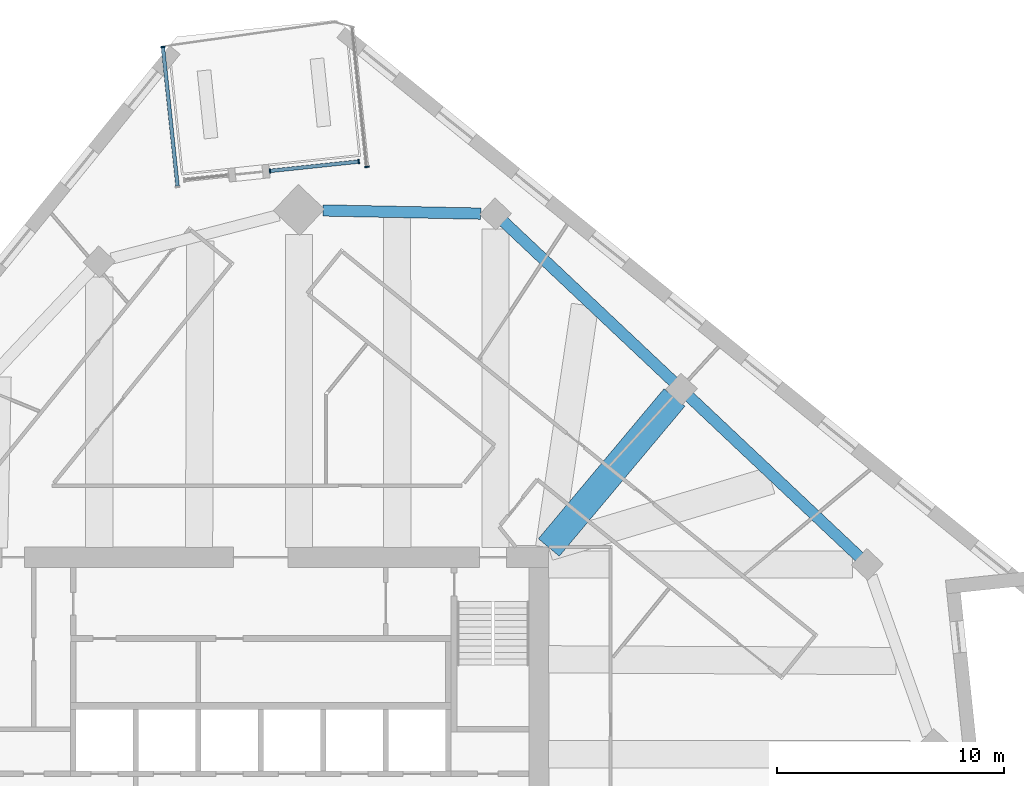
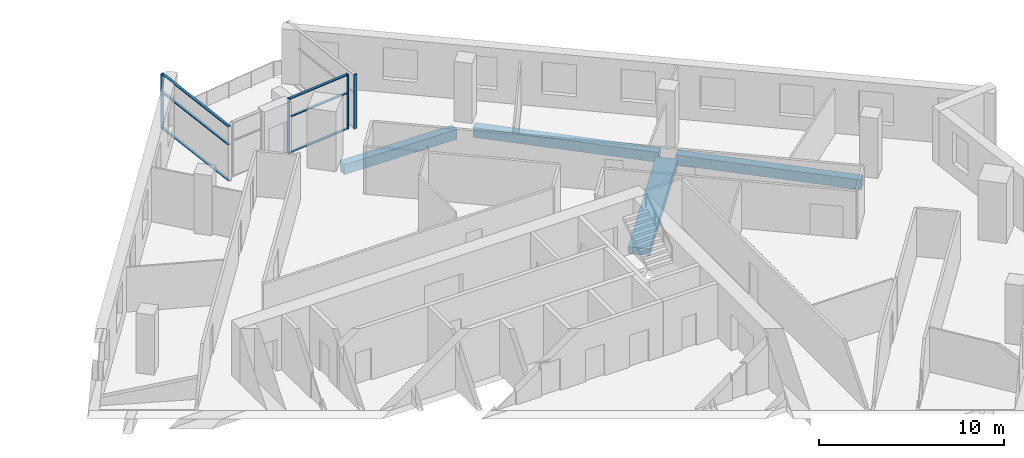
# One storey, part 4 of 14: 10 members, 4 beams, 3 elements without a shape of their own.
"""IFC4 building model written with IfcOpenShell, lengths in metres."""

from ifc_helpers import new_model, si_unit, direction, frame, origin, origin_2d, place, context, subcontext, project, spatial, rectangle, extrude, material, material_profile, profile_set, type_object, element, aggregate, save


model = new_model("IFC4")

# Units and contexts
model_context = context("Model", 3, precision=1e-05, world=origin(), true_north=direction((0.0, 1.0)))
body_context = subcontext(model_context, "Body", "Model", "MODEL_VIEW")
ifc_project = project(units=[si_unit("LENGTHUNIT", "METRE"), si_unit("AREAUNIT", "SQUARE_METRE"), si_unit("VOLUMEUNIT", "CUBIC_METRE"), si_unit("PLANEANGLEUNIT", "RADIAN"), si_unit("MASSUNIT", "GRAM", prefix="KILO")], contexts=[model_context])

# Site, building, storey
site_placement = place(None, origin())
site = spatial("IfcSite", under=ifc_project, at=site_placement, CompositionType="ELEMENT")
building_placement = place(site_placement, origin())
building = spatial("IfcBuilding", under=site, at=building_placement, Name="Dilmun Exchange Tower", CompositionType="ELEMENT")
storey_placement = place(building_placement, frame((0.0, 0.0, 233.300048828125)))
storey = spatial("IfcBuildingStorey", under=building, at=storey_placement, Name="L55", CompositionType="ELEMENT", Elevation=233.300048828125)

# Curtain wall, member
ifc_material_1 = material(Name="Anodised aluminium and clear glass", Category="aluminium")
curtain_wall_type = type_object("IfcCurtainWallType", Name="Garden corner glazing", PredefinedType="NOTDEFINED", material=ifc_material_1)
curtain_wall_1_placement = place(storey_placement, origin())
curtain_wall_1 = element("IfcCurtainWall", 1, at=curtain_wall_1_placement, inside=storey, type_object=curtain_wall_type, Name="Garden corner glazing run GC1.1", PredefinedType="NOTDEFINED")
ifc_material_2 = material(Name="Anodised aluminium", Category="aluminium")
ifc_material_profile_1 = material_profile(ifc_material_2, rectangle(XDim=0.199951171875, YDim=0.06005859375, at=origin_2d()), Name="AL 60x200")
ifc_profile_set_1 = profile_set([ifc_material_profile_1], Name="Anodised aluminium")
member_type_1 = type_object("IfcMemberType", Name="Garden corner glazing mullion 60 x 200", PredefinedType="MULLION", material=ifc_profile_set_1)
member_1_placement = place(storey_placement, frame((4.673583984375, 29.43505859375, 0.0), z_axis=(0.0, 0.0, 1.0), x_axis=(0.994520705874, 0.104539779931, 0.0)))
member_1 = element("IfcMember", 2, at=member_1_placement, type_object=member_type_1, Name="GC1.1 mullion 2", PredefinedType="MULLION", context=body_context, shape_type="SweptSolid", body=[
    extrude(rectangle(XDim=0.199951171875, YDim=0.06005859375, at=origin_2d()), origin(), (0.0, 0.0, 1.0), 3.619873046875),
])
aggregate(curtain_wall_1, [member_1])

# Curtain wall, members
curtain_wall_2_placement = place(storey_placement, origin())
curtain_wall_2 = element("IfcCurtainWall", 3, at=curtain_wall_2_placement, inside=storey, type_object=curtain_wall_type, Name="Garden corner glazing run GC2.1", PredefinedType="NOTDEFINED")
member_2_placement = place(storey_placement, frame((4.31689453125, 29.669189453125, 0.0), z_axis=(0.0, 0.0, 1.0), x_axis=(0.104536020157, -0.994521101078, 0.0)))
member_2 = element("IfcMember", 4, at=member_2_placement, type_object=member_type_1, Name="GC2.1 mullion 1", PredefinedType="MULLION", context=body_context, shape_type="SweptSolid", body=[
    extrude(rectangle(XDim=0.199951171875, YDim=0.06005859375, at=origin_2d()), origin(), (0.0, 0.0, 1.0), 3.619873046875),
])
member_3_placement = place(storey_placement, frame((0.409423828125, 29.258544921875, 0.0), z_axis=(0.0, 0.0, 1.0), x_axis=(0.104536020157, -0.994521101078, 0.0)))
member_3 = element("IfcMember", 5, at=member_3_placement, type_object=member_type_1, Name="GC2.1 mullion 2", PredefinedType="MULLION", context=body_context, shape_type="SweptSolid", body=[
    extrude(rectangle(XDim=0.199951171875, YDim=0.06005859375, at=origin_2d()), origin(), (0.0, 0.0, 1.0), 3.619873046875),
])

# Curtain wall, member
curtain_wall_3_placement = place(storey_placement, origin())
curtain_wall_3 = element("IfcCurtainWall", 6, at=curtain_wall_3_placement, inside=storey, type_object=curtain_wall_type, Name="Garden corner glazing run GC3.1", PredefinedType="NOTDEFINED")
member_4_placement = place(storey_placement, frame((-4.3056640625, 34.7119140625, 0.0), z_axis=(0.0, 0.0, 1.0), x_axis=(-0.994520705874, -0.104539779931, 0.0)))
member_4 = element("IfcMember", 7, at=member_4_placement, type_object=member_type_1, Name="GC3.1 mullion 2", PredefinedType="MULLION", context=body_context, shape_type="SweptSolid", body=[
    extrude(rectangle(XDim=0.199951171875, YDim=0.06005859375, at=origin_2d()), origin(), (0.0, 0.0, 1.0), 3.619873046875),
])

# Member
ifc_material_profile_2 = material_profile(ifc_material_2, rectangle(XDim=0.159912109375, YDim=0.06005859375, at=origin_2d()), Name="AL 60x160")
ifc_profile_set_2 = profile_set([ifc_material_profile_2], Name="Anodised aluminium")
member_type_2 = type_object("IfcMemberType", Name="Garden corner glazing transom 60 x 160", PredefinedType="USERDEFINED", material=ifc_profile_set_2)
member_5_placement = place(storey_placement, frame((4.287109375, 29.666015625, 0.030029296875), z_axis=(-0.994518929052, -0.104556682028, 0.0), x_axis=(0.104556682028, -0.994518929052, 0.0)))
member_5 = element("IfcMember", 8, at=member_5_placement, type_object=member_type_2, Name="GC2.1 transom 1.1", ObjectType="TRANSOM", PredefinedType="USERDEFINED", context=body_context, shape_type="SweptSolid", body=[
    extrude(rectangle(XDim=0.159912109375, YDim=0.06005859375, at=origin_2d()), origin(), (0.0, 0.0, 1.0), 3.869140625),
])

member_6_placement = place(storey_placement, frame((4.287109375, 29.666015625, 2.39990234375), z_axis=(-0.994518929052, -0.104556682028, 0.0), x_axis=(0.104556682028, -0.994518929052, 0.0)))
member_6 = element("IfcMember", 9, at=member_6_placement, type_object=member_type_2, Name="GC2.1 transom 1.2", ObjectType="TRANSOM", PredefinedType="USERDEFINED", context=body_context, shape_type="SweptSolid", body=[
    extrude(rectangle(XDim=0.159912109375, YDim=0.06005859375, at=origin_2d()), origin(), (0.0, 0.0, 1.0), 3.869140625),
])

member_7_placement = place(storey_placement, frame((4.287109375, 29.666015625, 3.58984375), z_axis=(-0.994518929052, -0.104556682028, 0.0), x_axis=(0.104556682028, -0.994518929052, 0.0)))
member_7 = element("IfcMember", 10, at=member_7_placement, type_object=member_type_2, Name="GC2.1 transom 1.3", ObjectType="TRANSOM", PredefinedType="USERDEFINED", context=body_context, shape_type="SweptSolid", body=[
    extrude(rectangle(XDim=0.159912109375, YDim=0.06005859375, at=origin_2d()), origin(), (0.0, 0.0, 1.0), 3.869140625),
])

aggregate(curtain_wall_2, [member_2, member_3, member_5, member_6, member_7])

member_8_placement = place(storey_placement, frame((-3.661865234375, 28.589111328125, 0.030029296875), z_axis=(-0.104564471724, 0.994518110068, 0.0), x_axis=(-0.994518110068, -0.104564471724, 0.0)))
member_8 = element("IfcMember", 11, at=member_8_placement, type_object=member_type_2, Name="GC3.1 transom 1.1", ObjectType="TRANSOM", PredefinedType="USERDEFINED", context=body_context, shape_type="SweptSolid", body=[
    extrude(rectangle(XDim=0.159912109375, YDim=0.06005859375, at=origin_2d()), origin(), (0.0, 0.0, 1.0), 6.126708984375),
])

member_9_placement = place(storey_placement, frame((-3.661865234375, 28.589111328125, 2.39990234375), z_axis=(-0.104564471724, 0.994518110068, 0.0), x_axis=(-0.994518110068, -0.104564471724, 0.0)))
member_9 = element("IfcMember", 12, at=member_9_placement, type_object=member_type_2, Name="GC3.1 transom 1.2", ObjectType="TRANSOM", PredefinedType="USERDEFINED", context=body_context, shape_type="SweptSolid", body=[
    extrude(rectangle(XDim=0.159912109375, YDim=0.06005859375, at=origin_2d()), origin(), (0.0, 0.0, 1.0), 6.126708984375),
])

member_10_placement = place(storey_placement, frame((-3.661865234375, 28.589111328125, 3.58984375), z_axis=(-0.104564471724, 0.994518110068, 0.0), x_axis=(-0.994518110068, -0.104564471724, 0.0)))
member_10 = element("IfcMember", 13, at=member_10_placement, type_object=member_type_2, Name="GC3.1 transom 1.3", ObjectType="TRANSOM", PredefinedType="USERDEFINED", context=body_context, shape_type="SweptSolid", body=[
    extrude(rectangle(XDim=0.159912109375, YDim=0.06005859375, at=origin_2d()), origin(), (0.0, 0.0, 1.0), 6.126708984375),
])

aggregate(curtain_wall_3, [member_4, member_8, member_9, member_10])

# Beams
ifc_material_3 = material(Name="Concrete C40/50", Category="concrete")
ifc_material_profile_3 = material_profile(ifc_material_3, rectangle(XDim=1.199951171875, YDim=0.449951171875, at=origin_2d()), Name="1200 x 450")
ifc_profile_set_3 = profile_set([ifc_material_profile_3], Name="Concrete C40/50")
beam_type_1 = type_object("IfcBeamType", Name="RC band beam 1200 x 450 C40/50", PredefinedType="BEAM", material=ifc_profile_set_3)
beam_1_placement = place(storey_placement, frame((18.2158203125, 19.28369140625, -0.705078125), z_axis=(-0.642200063897, -0.766537068856, 0.0), x_axis=(0.766537068856, -0.642200063897, 0.0)))
element("IfcBeam", 14, at=beam_1_placement, inside=storey, type_object=beam_type_1, Name="Band beam 15", PredefinedType="BEAM", context=body_context, shape_type="SweptSolid", body=[
    extrude(rectangle(XDim=1.199951171875, YDim=0.449951171875, at=origin_2d()), origin(), (0.0, 0.0, 1.0), 8.615966796875),
])
ifc_material_profile_4 = material_profile(ifc_material_3, rectangle(XDim=0.5, YDim=0.64990234375, at=origin_2d()), Name="500 x 650")
ifc_profile_set_4 = profile_set([ifc_material_profile_4], Name="Concrete C40/50")
beam_type_2 = type_object("IfcBeamType", Name="RC ring beam 500 x 650 C40/50", PredefinedType="SPANDREL", material=ifc_profile_set_4)
beam_2_placement = place(storey_placement, frame((26.36181640625, 12.25537109375, -0.705078125), z_axis=(-0.727685706374, 0.68591071776, 0.0), x_axis=(-0.68591071776, -0.727685706374, 0.0)))
element("IfcBeam", 15, at=beam_2_placement, inside=storey, type_object=beam_type_2, Name="Ring beam 14", PredefinedType="SPANDREL", context=body_context, shape_type="SweptSolid", body=[
    extrude(rectangle(XDim=0.5, YDim=0.64990234375, at=origin_2d()), origin(), (0.0, 0.0, 1.0), 10.30322265625),
])
beam_3_placement = place(storey_placement, frame((18.17578125, 19.971435546875, -0.705078125), z_axis=(-0.727682990869, 0.685913598641, 0.0), x_axis=(-0.685913598641, -0.727682990869, 0.0)))
element("IfcBeam", 16, at=beam_3_placement, inside=storey, type_object=beam_type_2, Name="Ring beam 15", PredefinedType="SPANDREL", context=body_context, shape_type="SweptSolid", body=[
    extrude(rectangle(XDim=0.5, YDim=0.64990234375, at=origin_2d()), origin(), (0.0, 0.0, 1.0), 10.3046875),
])
beam_4_placement = place(storey_placement, frame((9.685791015625, 27.376953125, -0.705078125), z_axis=(-0.999797424966, 0.020127320539, 0.0), x_axis=(-0.020127320539, -0.999797424966, 0.0)))
element("IfcBeam", 17, at=beam_4_placement, inside=storey, type_object=beam_type_2, Name="Ring beam 16", PredefinedType="SPANDREL", context=body_context, shape_type="SweptSolid", body=[
    extrude(rectangle(XDim=0.5, YDim=0.64990234375, at=origin_2d()), origin(), (0.0, 0.0, 1.0), 6.950439453125),
])

save(model, "model.ifc")
